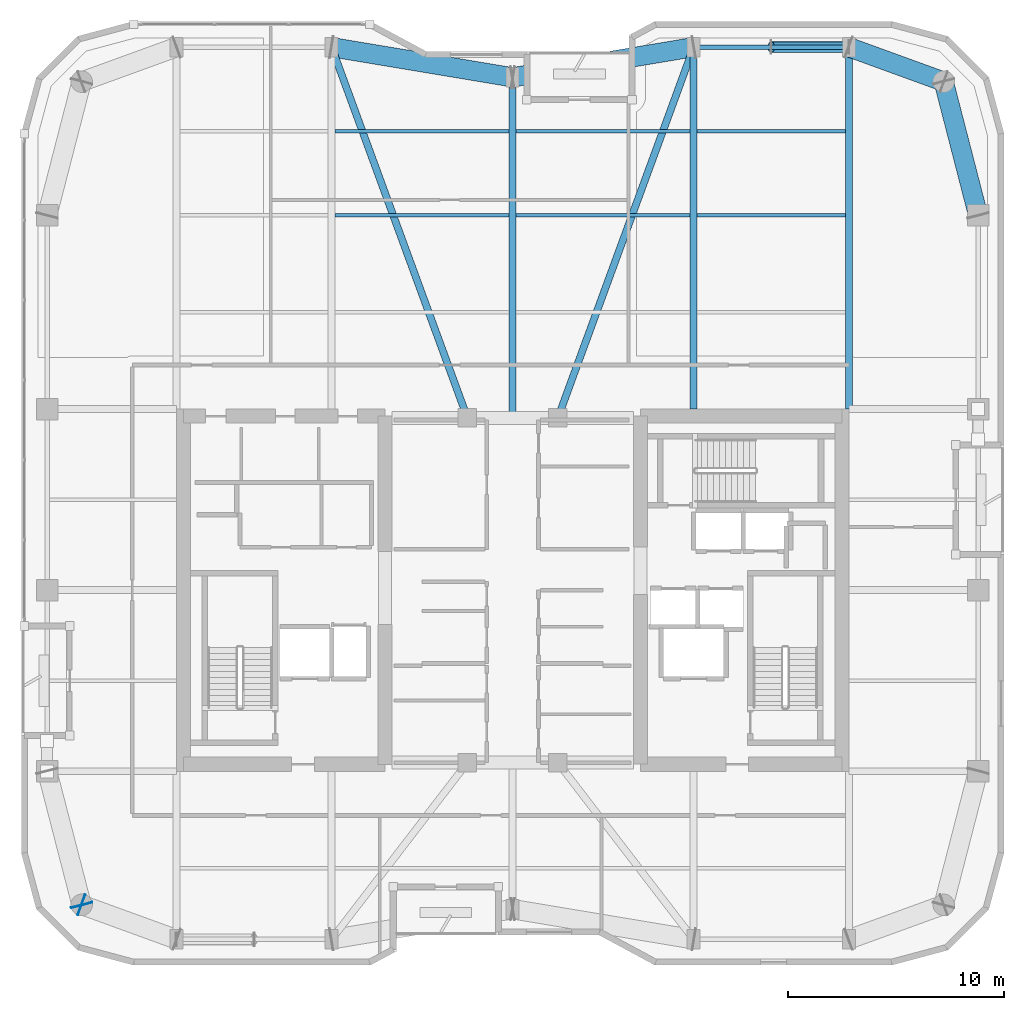
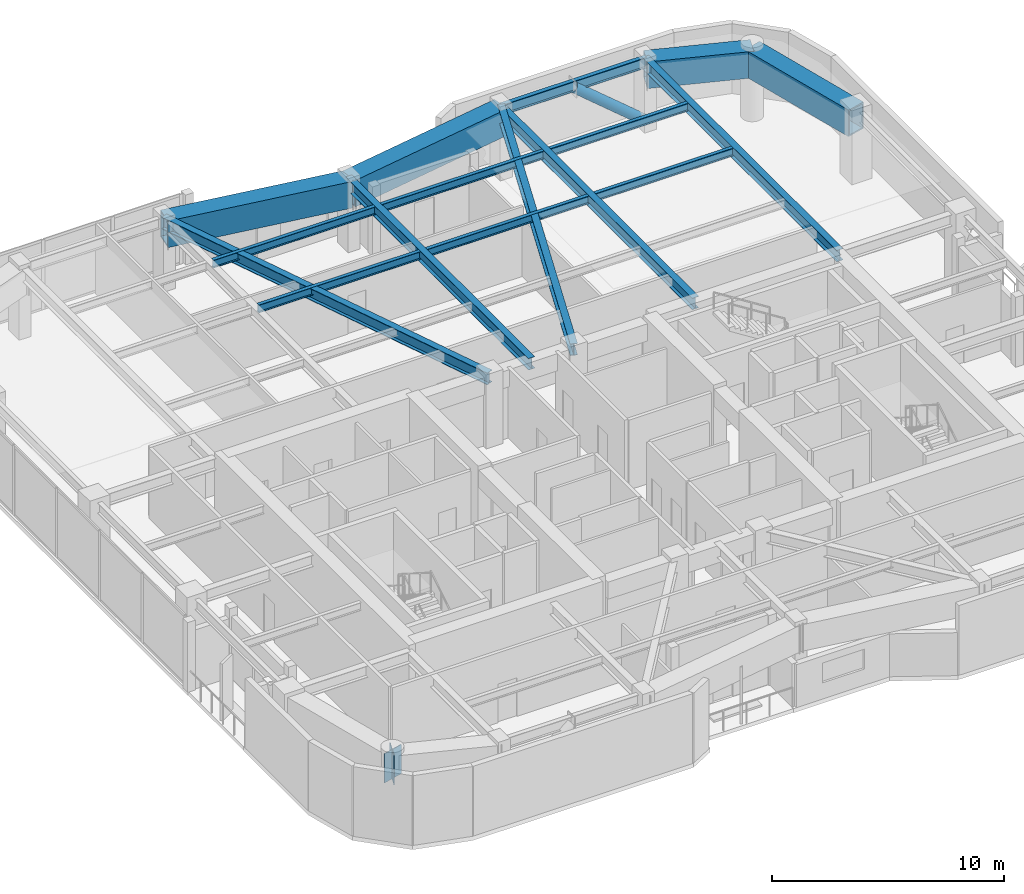
# One storey, part 11 of 21: 16 beams, 2 plates, 1 member.
"""IFC4 building model written with IfcOpenShell, lengths in metres."""

from ifc_helpers import new_model, si_unit, direction, frame, origin, origin_2d, place, context, subcontext, project, spatial, rectangle, hollow_rectangle, hollow_circle, i_section, extrude, material, layer, layer_set, material_profile, profile_set, type_object, element, save


model = new_model("IFC4")

# Units and contexts
model_context = context("Model", 3, precision=1e-05, world=origin(), true_north=direction((0.0, 1.0)))
body_context = subcontext(model_context, "Body", "Model", "MODEL_VIEW")
ifc_project = project(units=[si_unit("LENGTHUNIT", "METRE"), si_unit("AREAUNIT", "SQUARE_METRE"), si_unit("VOLUMEUNIT", "CUBIC_METRE"), si_unit("PLANEANGLEUNIT", "RADIAN"), si_unit("MASSUNIT", "GRAM", prefix="KILO")], contexts=[model_context])

# Site, building, storey
site_placement = place(None, origin())
site = spatial("IfcSite", under=ifc_project, at=site_placement, CompositionType="ELEMENT")
building_placement = place(site_placement, origin())
building = spatial("IfcBuilding", under=site, at=building_placement, Name="Kiyonajd Concourse Tower", CompositionType="ELEMENT")
storey_placement = place(building_placement, frame((0.0, 0.0, 234.89990234375)))
storey = spatial("IfcBuildingStorey", under=building, at=storey_placement, Name="L59", CompositionType="ELEMENT", Elevation=234.89990234375)

# Beams
ifc_material_1 = material(Name="Steel ASTM A992 Grade 50", Category="steel")
ifc_material_profile_1 = material_profile(ifc_material_1, i_section(OverallWidth=0.180908203125, OverallDepth=0.4169921875, WebThickness=0.010986328125, FlangeThickness=0.018310546875, at=origin_2d()), Name="W410X85")
ifc_profile_set_1 = profile_set([ifc_material_profile_1], Name="Steel ASTM A992 Grade 50")
beam_type_1 = type_object("IfcBeamType", Name="BM-JST-410", PredefinedType="JOIST", material=ifc_profile_set_1)
for number, where, z_axis, x_axis, name in (
    (1, (39.761962890625, 53.39990234375, 3.4716796875), (1.0, 0.0, 0.0), (0.0, 1.0, 0.0), "L59 Secondary Floor Joist"),
    (2, (48.162109375, 53.39990234375, 3.4716796875), (1.0, 0.0, 0.0), (0.0, 1.0, 0.0), "L59 Secondary Floor Joist"),
):
    element("IfcBeam", number, at=place(storey_placement, frame(where, z_axis=z_axis, x_axis=x_axis)), inside=storey, type_object=beam_type_1, Name=name, PredefinedType="JOIST", context=body_context, shape_type="SweptSolid", body=[
        extrude(i_section(OverallWidth=0.180908203125, OverallDepth=0.4169921875, WebThickness=0.010986328125, FlangeThickness=0.018310546875, at=origin_2d()), origin(), (0.0, 0.0, 1.0), 8.075927734375),
    ])
beam_1_placement = place(storey_placement, frame((56.56201171875, 53.39990234375, 3.4716796875), z_axis=(1.0, 0.0, 0.0), x_axis=(0.0, 1.0, 0.0)))
element("IfcBeam", 3, at=beam_1_placement, inside=storey, type_object=beam_type_1, Name="L59 Secondary Floor Joist", PredefinedType="JOIST", context=body_context, shape_type="SweptSolid", body=[
    extrude(i_section(OverallWidth=0.180908203125, OverallDepth=0.4169921875, WebThickness=0.010986328125, FlangeThickness=0.018310546875, at=origin_2d()), origin(), (0.0, 0.0, 1.0), 6.8759765625),
])
for number, where, z_axis, x_axis, name in (
    (4, (39.761962890625, 57.300048828125, 3.4716796875), (1.0, 0.0, 0.0), (0.0, 1.0, 0.0), "L59 Secondary Floor Joist"),
    (5, (48.162109375, 57.300048828125, 3.4716796875), (1.0, 0.0, 0.0), (0.0, 1.0, 0.0), "L59 Secondary Floor Joist"),
):
    element("IfcBeam", number, at=place(storey_placement, frame(where, z_axis=z_axis, x_axis=x_axis)), inside=storey, type_object=beam_type_1, Name=name, PredefinedType="JOIST", context=body_context, shape_type="SweptSolid", body=[
        extrude(i_section(OverallWidth=0.180908203125, OverallDepth=0.4169921875, WebThickness=0.010986328125, FlangeThickness=0.018310546875, at=origin_2d()), origin(), (0.0, 0.0, 1.0), 8.075927734375),
    ])
beam_2_placement = place(storey_placement, frame((56.56201171875, 57.300048828125, 3.4716796875), z_axis=(1.0, 0.0, 0.0), x_axis=(0.0, 1.0, 0.0)))
element("IfcBeam", 6, at=beam_2_placement, inside=storey, type_object=beam_type_1, Name="L59 Secondary Floor Joist", PredefinedType="JOIST", context=body_context, shape_type="SweptSolid", body=[
    extrude(i_section(OverallWidth=0.180908203125, OverallDepth=0.4169921875, WebThickness=0.010986328125, FlangeThickness=0.018310546875, at=origin_2d()), origin(), (0.0, 0.0, 1.0), 6.8759765625),
])
ifc_material_profile_2 = material_profile(ifc_material_1, i_section(OverallWidth=0.214111328125, OverallDepth=0.549072265625, WebThickness=0.0146484375, FlangeThickness=0.023681640625, at=origin_2d()), Name="W530X138")
ifc_profile_set_2 = profile_set([ifc_material_profile_2], Name="Steel ASTM A992 Grade 50")
beam_type_2 = type_object("IfcBeamType", Name="BM-SPAN-530A", PredefinedType="SPANDREL", material=ifc_profile_set_2)
beam_3_placement = place(storey_placement, frame((63.60009765625, 61.199951171875, 3.405517578125), z_axis=(-1.0, 0.0, 0.0), x_axis=(0.0, -1.0, 0.0)))
element("IfcBeam", 7, at=beam_3_placement, inside=storey, type_object=beam_type_2, Name="L59 Perimeter Bundled Tube Spandrel", PredefinedType="SPANDREL", context=body_context, shape_type="SweptSolid", body=[
    extrude(i_section(OverallWidth=0.214111328125, OverallDepth=0.549072265625, WebThickness=0.0146484375, FlangeThickness=0.023681640625, at=origin_2d()), origin(), (0.0, 0.0, 1.0), 7.2001953125),
])
ifc_material_profile_3 = material_profile(ifc_material_1, i_section(OverallWidth=0.326904296875, OverallDepth=0.6220703125, WebThickness=0.015380859375, FlangeThickness=0.0244140625, at=origin_2d()), Name="W610X195")
ifc_profile_set_3 = profile_set([ifc_material_profile_3], Name="Steel ASTM A992 Grade 50")
beam_type_3 = type_object("IfcBeamType", Name="BM-TWR-610A", PredefinedType="BEAM", material=ifc_profile_set_3)
for number, where, z_axis, x_axis, name in (
    (8, (39.60009765625, 61.199951171875, 3.369140625), (0.343925269715, -0.938997022813, 0.0), (0.938997022813, 0.343925269715, 0.0), "L59 Core Tie Girder"),
    (9, (50.10009765625, 44.0, 3.369140625), (0.343925269715, 0.938997022813, 0.0), (-0.938997022813, 0.343925269715, 0.0), "L59 Core Tie Girder"),
):
    element("IfcBeam", number, at=place(storey_placement, frame(where, z_axis=z_axis, x_axis=x_axis)), inside=storey, type_object=beam_type_3, Name=name, PredefinedType="BEAM", context=body_context, shape_type="SweptSolid", body=[
        extrude(i_section(OverallWidth=0.326904296875, OverallDepth=0.6220703125, WebThickness=0.015380859375, FlangeThickness=0.0244140625, at=origin_2d()), origin(), (0.0, 0.0, 1.0), 18.3173828125),
    ])
ifc_material_profile_4 = material_profile(ifc_material_1, i_section(OverallWidth=0.323974609375, OverallDepth=0.611083984375, WebThickness=0.0126953125, FlangeThickness=0.01904296875, at=origin_2d()), Name="W610X155")
ifc_profile_set_4 = profile_set([ifc_material_profile_4], Name="Steel ASTM A992 Grade 50")
beam_type_4 = type_object("IfcBeamType", Name="BM-TWR-610B", PredefinedType="BEAM", material=ifc_profile_set_4)
for number, where, z_axis, x_axis, name in (
    (10, (56.39990234375, 44.39990234375, 3.37451171875), (0.0, 1.0, 0.0), (-1.0, 0.0, 0.0), "L59 North Lease Girder"),
    (11, (63.60009765625, 44.39990234375, 3.37451171875), (0.0, 1.0, 0.0), (-1.0, 0.0, 0.0), "L59 North Lease Girder"),
):
    element("IfcBeam", number, at=place(storey_placement, frame(where, z_axis=z_axis, x_axis=x_axis)), inside=storey, type_object=beam_type_4, Name=name, PredefinedType="BEAM", context=body_context, shape_type="SweptSolid", body=[
        extrude(i_section(OverallWidth=0.323974609375, OverallDepth=0.611083984375, WebThickness=0.0126953125, FlangeThickness=0.01904296875, at=origin_2d()), origin(), (0.0, 0.0, 1.0), 16.800048828125),
    ])
beam_4_placement = place(storey_placement, frame((48.0, 44.0, 3.37451171875), z_axis=(0.0, 1.0, 0.0), x_axis=(-1.0, 0.0, 0.0)))
element("IfcBeam", 12, at=beam_4_placement, inside=storey, type_object=beam_type_4, Name="L59 North Ribbon Girder", PredefinedType="BEAM", context=body_context, shape_type="SweptSolid", body=[
    extrude(i_section(OverallWidth=0.323974609375, OverallDepth=0.611083984375, WebThickness=0.0126953125, FlangeThickness=0.01904296875, at=origin_2d()), origin(), (0.0, 0.0, 1.0), 15.800048828125),
])
ifc_material_2 = material(Name="Steel ASTM A572 Grade 50", Category="steel")
ifc_material_profile_5 = material_profile(ifc_material_2, hollow_rectangle(XDim=0.89990234375, YDim=1.39990234375, WallThickness=0.070068359375, at=origin_2d()), Name="BOX-1400x900x70")
ifc_profile_set_5 = profile_set([ifc_material_profile_5], Name="Steel ASTM A572 Grade 50")
beam_type_5 = type_object("IfcBeamType", Name="BM-XFER-1400", PredefinedType="BEAM", material=ifc_profile_set_5)
beam_5_placement = place(storey_placement, frame((69.60009765625, 53.39990234375, 2.97998046875), z_axis=(-0.249884937687, 0.968275538221, 0.0), x_axis=(-0.968275538221, -0.249884937687, 0.0)))
element("IfcBeam", 13, at=beam_5_placement, inside=storey, type_object=beam_type_5, Name="L59 Perimeter Bundled Tube Spandrel", PredefinedType="BEAM", context=body_context, shape_type="SweptSolid", body=[
    extrude(hollow_rectangle(XDim=0.89990234375, YDim=1.39990234375, WallThickness=0.070068359375, at=origin_2d()), origin(), (0.0, 0.0, 1.0), 6.4033203125),
])
beam_6_placement = place(storey_placement, frame((68.0, 59.60009765625, 2.97998046875), z_axis=(-0.939801036019, 0.341722127901, 0.0), x_axis=(-0.341722127901, -0.939801036019, 0.0)))
element("IfcBeam", 14, at=beam_6_placement, inside=storey, type_object=beam_type_5, Name="L59 Perimeter Bundled Tube Spandrel", PredefinedType="BEAM", context=body_context, shape_type="SweptSolid", body=[
    extrude(hollow_rectangle(XDim=0.89990234375, YDim=1.39990234375, WallThickness=0.070068359375, at=origin_2d()), origin(), (0.0, 0.0, 1.0), 4.681640625),
])
for number, where, z_axis, x_axis, name in (
    (15, (56.39990234375, 61.199951171875, 2.97998046875), (-0.986395473479, -0.164389689151, 0.0), (0.164389689151, -0.986395473479, 0.0), "L59 Perimeter Bundled Tube Spandrel"),
    (16, (48.0, 59.800048828125, 2.97998046875), (-0.986395473479, 0.164389689151, 0.0), (-0.164389689151, -0.986395473479, 0.0), "L59 Perimeter Bundled Tube Spandrel"),
):
    element("IfcBeam", number, at=place(storey_placement, frame(where, z_axis=z_axis, x_axis=x_axis)), inside=storey, type_object=beam_type_5, Name=name, PredefinedType="BEAM", context=body_context, shape_type="SweptSolid", body=[
        extrude(hollow_rectangle(XDim=0.89990234375, YDim=1.39990234375, WallThickness=0.070068359375, at=origin_2d()), origin(), (0.0, 0.0, 1.0), 8.515869140625),
    ])

# Member
ifc_material_3 = material(Name="Steel ASTM A500 Grade C", Category="steel")
ifc_material_profile_6 = material_profile(ifc_material_3, hollow_circle(Radius=0.25390625, WallThickness=0.02197265625, at=origin_2d()), Name="CHS-508x22")
ifc_profile_set_6 = profile_set([ifc_material_profile_6], Name="Steel ASTM A500 Grade C")
member_type = type_object("IfcMemberType", Name="MB-PB-MID", PredefinedType="BRACE", material=ifc_profile_set_6)
member_placement = place(storey_placement, frame((63.60009765625, 61.199951171875, 0.300048828125), z_axis=(-0.765082043761, 0.0, 0.643932811957), x_axis=(0.0, -1.0, 0.0)))
element("IfcMember", 17, at=member_placement, inside=storey, type_object=member_type, Name="L59 Upper Zone Hollow Tube Brace PBN", PredefinedType="BRACE", context=body_context, shape_type="SweptSolid", body=[
    extrude(hollow_circle(Radius=0.25390625, WallThickness=0.02197265625, at=origin_2d()), origin(), (0.0, 0.0, 1.0), 4.70556640625),
])

# Plates
ifc_layer = layer(ifc_material_2, 0.031982421875)
ifc_layer_set = layer_set([ifc_layer], Name="Steel ASTM A572 Grade 50")
plate_type = type_object("IfcPlateType", Name="PL-CAP-540", PredefinedType="USERDEFINED", material=ifc_layer_set)
for number, where, z_axis, x_axis, name in (
    (18, (28.002685546875, 21.389404296875, 2.2099609375), (0.0, 0.0, 1.0), (0.249873048837, -0.968278606324, 0.0), "L59 Welded Box Girder End Cap"),
    (19, (27.98974609375, 21.40380859375, 2.2099609375), (0.0, 0.0, 1.0), (-0.939811951086, 0.341692107891, 0.0), "L59 Welded Box Girder End Cap"),
):
    element("IfcPlate", number, at=place(storey_placement, frame(where, z_axis=z_axis, x_axis=x_axis)), inside=storey, type_object=plate_type, Name=name, ObjectType="CAP PLATE", PredefinedType="USERDEFINED", context=body_context, shape_type="SweptSolid", body=[
        extrude(rectangle(XDim=0.035888671875, YDim=1.02001953125, at=origin_2d()), origin(), (0.0, 0.0, 1.0), 1.5400390625),
    ])

save(model, "model.ifc")
